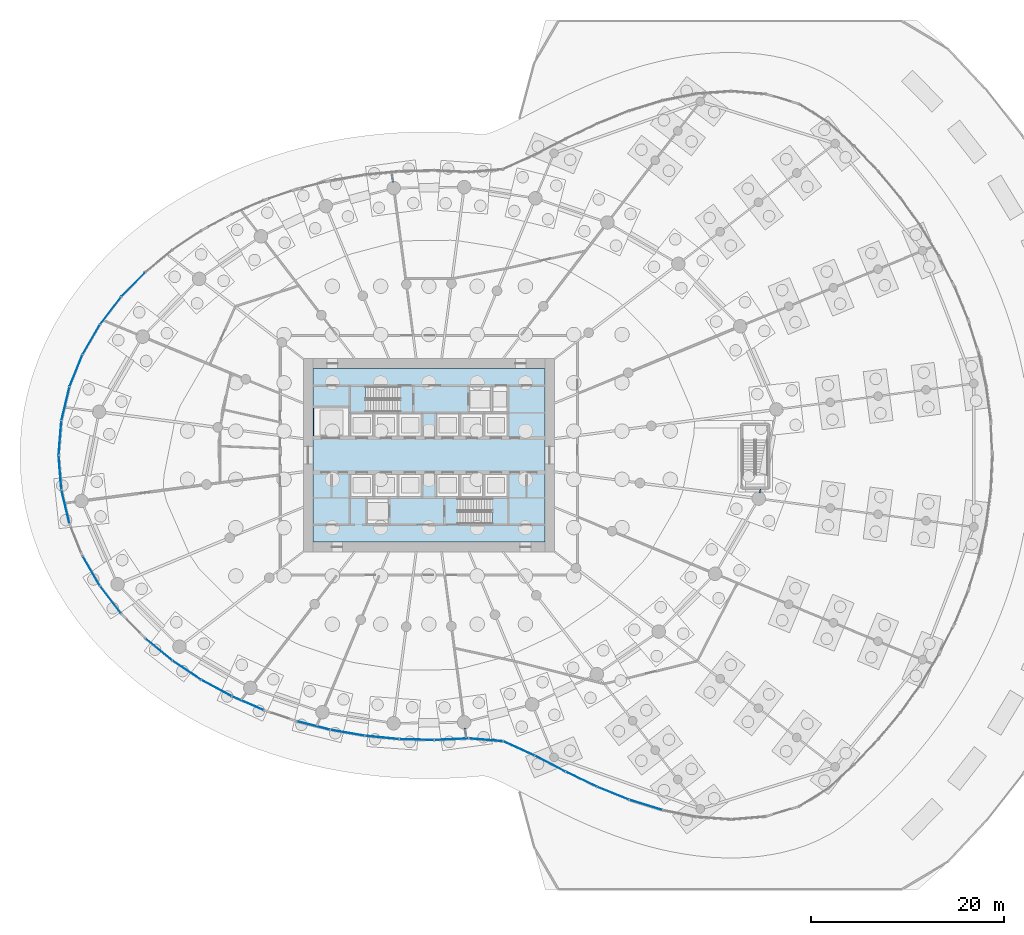
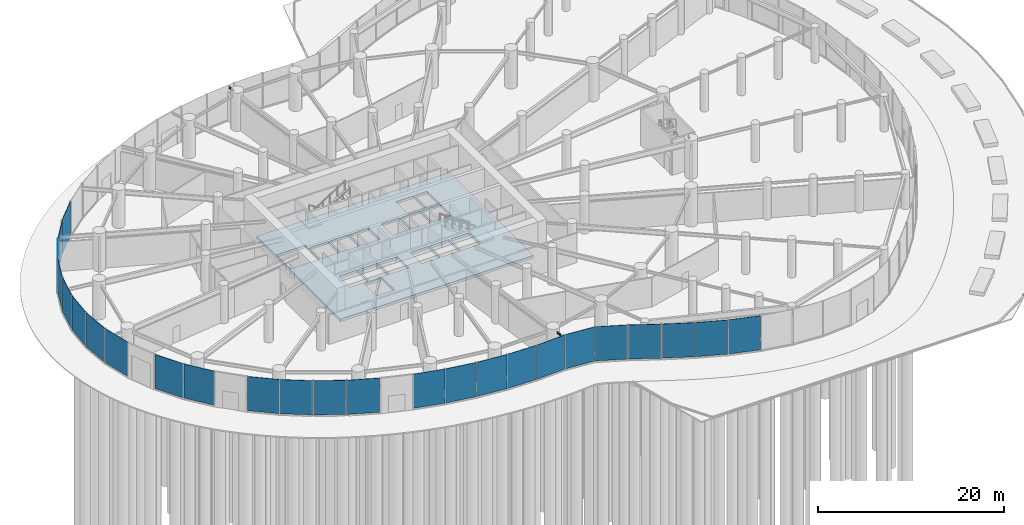
# One storey, part 13 of 28: 25 plates, 3 beams, 3 slabs, 7 elements without a shape of their own.
"""IFC4 building model written with IfcOpenShell, lengths in metres."""

from ifc_helpers import new_model, si_unit, direction, frame, origin, origin_2d, place, context, subcontext, project, spatial, line, indexed_curve, rectangle, i_section, outline, extrude, source, transform, mapped, material, layer, layer_set, material_profile, profile_set, type_object, element, aggregate, save


model = new_model("IFC4")

# Units and contexts
model_context = context("Model", 3, precision=1e-05, world=origin(), true_north=direction((0.0, 1.0)))
body_context = subcontext(model_context, "Body", "Model", "MODEL_VIEW")
ifc_project = project(units=[si_unit("LENGTHUNIT", "METRE"), si_unit("AREAUNIT", "SQUARE_METRE"), si_unit("VOLUMEUNIT", "CUBIC_METRE"), si_unit("PLANEANGLEUNIT", "RADIAN"), si_unit("MASSUNIT", "GRAM", prefix="KILO")], contexts=[model_context])

# Site, building, storey
site_placement = place(None, origin())
site = spatial("IfcSite", under=ifc_project, at=site_placement, CompositionType="ELEMENT")
building_placement = place(site_placement, origin())
building = spatial("IfcBuilding", under=site, at=building_placement, Name="Spindrift Exchange Tower", CompositionType="ELEMENT")
storey_placement = place(building_placement, origin())
storey = spatial("IfcBuildingStorey", under=building, at=storey_placement, Name="L00", CompositionType="ELEMENT", Elevation=0.0)

# Beams
ifc_material_1 = material(Name="Steel Grade 300", Category="steel")
ifc_material_profile_1 = material_profile(ifc_material_1, i_section(OverallWidth=0.14599609375, OverallDepth=0.251953125, WebThickness=0.006103515625, FlangeThickness=0.008544921875, FilletRadius=0.011962890625, at=origin_2d()), Name="250UB31.4")
ifc_profile_set_1 = profile_set([ifc_material_profile_1], Name="Steel Grade 300")
beam_type_1 = type_object("IfcBeamType", Name="Cantilever Beam 250UB31.4 Steel Grade 300", PredefinedType="BEAM", material=ifc_profile_set_1)
shared_shape_1 = source(origin(), body_context, "Body", "SweptSolid", [
    extrude(i_section(OverallWidth=0.14599609375, OverallDepth=0.251953125, WebThickness=0.006103515625, FlangeThickness=0.008544921875, FilletRadius=0.011962890625, at=origin_2d()), origin(), (0.0, 0.0, 1.0), 0.892333984375),
])
for number, where, z_axis, x_axis, name in (
    (1, (48.28271484375, 76.236328125, 4.52392578125), (-0.130765879186, 0.99141327651, 0.0), (-0.99141327651, -0.130765879186, 0.0), "L00 cantilever beam R07T"),
    (2, (55.71728515625, 19.763671875, 4.52392578125), (0.130765879186, -0.99141327651, 0.0), (0.99141327651, 0.130765879186, 0.0), "L00 cantilever beam R19T"),
):
    element("IfcBeam", number, at=place(storey_placement, frame(where, z_axis=z_axis, x_axis=x_axis)), inside=storey, type_object=beam_type_1, Name=name, PredefinedType="BEAM", context=body_context, shape_type="MappedRepresentation", body=[
        mapped(shared_shape_1, transform((0.0, 0.0, 0.0), scale=1.0)),
    ])
ifc_material_profile_2 = material_profile(ifc_material_1, i_section(OverallWidth=0.14599609375, OverallDepth=0.251953125, WebThickness=0.006103515625, FlangeThickness=0.008544921875, FilletRadius=0.011962890625, at=origin_2d()), Name="250UB31.4")
ifc_profile_set_2 = profile_set([ifc_material_profile_2], Name="Steel Grade 300")
beam_type_2 = type_object("IfcBeamType", Name="Edge Beam 250UB31.4 Steel Grade 300", PredefinedType="SPANDREL", material=ifc_profile_set_2)
shared_shape_2 = source(origin(), body_context, "Body", "SweptSolid", [
    extrude(i_section(OverallWidth=0.14599609375, OverallDepth=0.251953125, WebThickness=0.006103515625, FlangeThickness=0.008544921875, FilletRadius=0.011962890625, at=origin_2d()), origin(), (0.0, 0.0, 1.0), 0.4169921875),
])
beam_placement = place(storey_placement, frame((86.27392578125, 44.071533203125, 4.52392578125), z_axis=(0.194426549489, 0.9809170795, 0.0), x_axis=(-0.9809170795, 0.194426549489, 0.0)))
element("IfcBeam", 3, at=beam_placement, inside=storey, type_object=beam_type_2, Name="L00 edge beam E24a", PredefinedType="SPANDREL", context=body_context, shape_type="MappedRepresentation", body=[
    mapped(shared_shape_2, transform((0.0, 0.0, 0.0), scale=1.0)),
])

# Slab
ifc_material_2 = material(Name="Concrete 50 MPa", Category="concrete")
ifc_layer_1 = layer(ifc_material_2, 0.35009765625)
ifc_layer_set_1 = layer_set([ifc_layer_1], Name="SL-CORE-FLOOR-350")
slab_type_1 = type_object("IfcSlabType", Name="SL-CORE-FLOOR-350", PredefinedType="FLOOR", material=ifc_layer_set_1)
slab_1_placement = place(storey_placement, frame((0.0, 0.0, -0.35009765625)))
element("IfcSlab", 4, at=slab_1_placement, inside=storey, type_object=slab_type_1, Name="L00 Core floor slab", PredefinedType="FLOOR", context=body_context, shape_type="SweptSolid", body=[
    extrude(outline(indexed_curve([(40.0, 39.0), (40.0, 57.0), (64.0, 57.0), (64.0, 39.0)], segments=[line(1, 2, 3, 4, 1)], self_intersect=False), holes=[indexed_curve([(47.800048828125, 43.5), (45.60009765625, 43.5), (45.60009765625, 40.89990234375), (47.800048828125, 40.89990234375)], segments=[line(1, 2, 3, 4, 1)], self_intersect=False), indexed_curve([(46.199951171875, 46.10009765625), (43.89990234375, 46.10009765625), (43.89990234375, 43.699951171875), (46.199951171875, 43.699951171875)], segments=[line(1, 2, 3, 4, 1)], self_intersect=False), indexed_curve([(48.699951171875, 46.10009765625), (46.39990234375, 46.10009765625), (46.39990234375, 43.699951171875), (48.699951171875, 43.699951171875)], segments=[line(1, 2, 3, 4, 1)], self_intersect=False), indexed_curve([(51.199951171875, 46.10009765625), (48.89990234375, 46.10009765625), (48.89990234375, 43.699951171875), (51.199951171875, 43.699951171875)], segments=[line(1, 2, 3, 4, 1)], self_intersect=False), indexed_curve([(46.199951171875, 52.300048828125), (43.89990234375, 52.300048828125), (43.89990234375, 49.89990234375), (46.199951171875, 49.89990234375)], segments=[line(1, 2, 3, 4, 1)], self_intersect=False), indexed_curve([(48.699951171875, 52.300048828125), (46.39990234375, 52.300048828125), (46.39990234375, 49.89990234375), (48.699951171875, 49.89990234375)], segments=[line(1, 2, 3, 4, 1)], self_intersect=False), indexed_curve([(51.199951171875, 52.300048828125), (48.89990234375, 52.300048828125), (48.89990234375, 49.89990234375), (51.199951171875, 49.89990234375)], segments=[line(1, 2, 3, 4, 1)], self_intersect=False), indexed_curve([(43.699951171875, 52.89990234375), (40.10009765625, 52.89990234375), (40.10009765625, 49.89990234375), (43.699951171875, 49.89990234375)], segments=[line(1, 2, 3, 4, 1)], self_intersect=False), indexed_curve([(55.10009765625, 46.10009765625), (52.800048828125, 46.10009765625), (52.800048828125, 43.699951171875), (55.10009765625, 43.699951171875)], segments=[line(1, 2, 3, 4, 1)], self_intersect=False), indexed_curve([(57.60009765625, 46.10009765625), (55.300048828125, 46.10009765625), (55.300048828125, 43.699951171875), (57.60009765625, 43.699951171875)], segments=[line(1, 2, 3, 4, 1)], self_intersect=False), indexed_curve([(60.10009765625, 46.10009765625), (57.800048828125, 46.10009765625), (57.800048828125, 43.699951171875), (60.10009765625, 43.699951171875)], segments=[line(1, 2, 3, 4, 1)], self_intersect=False), indexed_curve([(55.10009765625, 52.300048828125), (52.800048828125, 52.300048828125), (52.800048828125, 49.89990234375), (55.10009765625, 49.89990234375)], segments=[line(1, 2, 3, 4, 1)], self_intersect=False), indexed_curve([(57.60009765625, 52.300048828125), (55.300048828125, 52.300048828125), (55.300048828125, 49.89990234375), (57.60009765625, 49.89990234375)], segments=[line(1, 2, 3, 4, 1)], self_intersect=False), indexed_curve([(60.10009765625, 52.300048828125), (57.800048828125, 52.300048828125), (57.800048828125, 49.89990234375), (60.10009765625, 49.89990234375)], segments=[line(1, 2, 3, 4, 1)], self_intersect=False), indexed_curve([(58.39990234375, 55.10009765625), (56.199951171875, 55.10009765625), (56.199951171875, 52.5), (58.39990234375, 52.5)], segments=[line(1, 2, 3, 4, 1)], self_intersect=False), indexed_curve([(60.10009765625, 55.10009765625), (58.60009765625, 55.10009765625), (58.60009765625, 52.5), (60.10009765625, 52.5)], segments=[line(1, 2, 3, 4, 1)], self_intersect=False)]), origin(), (0.0, 0.0, 1.0), 0.35009765625),
])

# Stair, slab
stair_type = type_object("IfcStairType", Name="ST-1250-R179", PredefinedType="HALF_TURN_STAIR", material=ifc_material_2)
stair_1_placement = place(storey_placement, origin())
stair_1 = element("IfcStair", 5, at=stair_1_placement, inside=storey, type_object=stair_type, Name="L00 Exit stair ST1", PredefinedType="HALF_TURN_STAIR")
ifc_layer_2 = layer(ifc_material_2, 0.199951171875)
ifc_layer_set_2 = layer_set([ifc_layer_2], Name="SL-LANDING")
slab_type_2 = type_object("IfcSlabType", Name="SL-LANDING", PredefinedType="LANDING", material=ifc_layer_set_2)
slab_2_placement = place(storey_placement, frame((0.0, 0.0, 2.300048828125)))
slab_2 = element("IfcSlab", 6, at=slab_2_placement, type_object=slab_type_2, Name="ST1 landing 1", PredefinedType="LANDING", context=body_context, shape_type="SweptSolid", body=[
    extrude(outline(indexed_curve([(45.489990234375, 52.39990234375), (43.800048828125, 52.39990234375), (43.800048828125, 55.199951171875), (45.489990234375, 55.199951171875)], segments=[line(1, 2, 3, 4, 1)], self_intersect=False)), origin(), (0.0, 0.0, 1.0), 0.199951171875),
])
aggregate(stair_1, [slab_2])

stair_2_placement = place(storey_placement, origin())
stair_2 = element("IfcStair", 7, at=stair_2_placement, inside=storey, type_object=stair_type, Name="L00 Exit stair ST2", PredefinedType="HALF_TURN_STAIR")
slab_3_placement = place(storey_placement, frame((0.0, 0.0, 2.300048828125)))
slab_3 = element("IfcSlab", 8, at=slab_3_placement, type_object=slab_type_2, Name="ST2 landing 1", PredefinedType="LANDING", context=body_context, shape_type="SweptSolid", body=[
    extrude(outline(indexed_curve([(58.510009765625, 43.60009765625), (60.199951171875, 43.60009765625), (60.199951171875, 40.800048828125), (58.510009765625, 40.800048828125)], segments=[line(1, 2, 3, 4, 1)], self_intersect=False)), origin(), (0.0, 0.0, 1.0), 0.199951171875),
])
aggregate(stair_2, [slab_3])

# Curtain wall, plate
ifc_material_3 = material(Name="Fritted laminated glass with bronze frame", Category="glass")
ifc_layer_3 = layer(ifc_material_3, 0.219970703125)
ifc_layer_set_3 = layer_set([ifc_layer_3], Name="PODIUM BRONZE GLAZED WALL")
curtain_wall_type = type_object("IfcCurtainWallType", Name="PODIUM BRONZE GLAZED WALL", PredefinedType="NOTDEFINED", material=ifc_layer_set_3)
curtain_wall_1_placement = place(storey_placement, origin())
curtain_wall_1 = element("IfcCurtainWall", 9, at=curtain_wall_1_placement, inside=storey, type_object=curtain_wall_type, Name="L00 Podium Bronze Glazed Wall run 8", PredefinedType="NOTDEFINED")
ifc_material_4 = material(Name="Bronze tinted laminated glass, clear vision", Category="glass")
ifc_layer_4 = layer(ifc_material_4, 0.0400390625)
ifc_layer_set_4 = layer_set([ifc_layer_4], Name="PODIUM BRONZE GLAZED WALL PANEL CLEAR 1560")
plate_type_1 = type_object("IfcPlateType", Name="PODIUM BRONZE GLAZED WALL PANEL CLEAR 1560", PredefinedType="CURTAIN_PANEL", material=ifc_layer_set_4)
shared_shape_3 = source(origin(), body_context, "Body", "SweptSolid", [
    extrude(rectangle(XDim=3.512451171875, YDim=0.0400390625, at=origin_2d()), origin(), (0.0, 0.0, 1.0), 4.489990234375),
])
plate_1_placement = place(storey_placement, frame((33.24169921875, 22.311767578125, 0.16015625), z_axis=(0.0, 0.0, 1.0), x_axis=(0.917914669625, -0.396777846265, 0.0)))
plate_1 = element("IfcPlate", 10, at=plate_1_placement, type_object=plate_type_1, Name="L00 panel CW-P.48", PredefinedType="CURTAIN_PANEL", context=body_context, shape_type="MappedRepresentation", body=[
    mapped(shared_shape_3, transform((0.0, 0.0, 0.0), scale=1.0)),
])

# Curtain wall, plates
curtain_wall_2_placement = place(storey_placement, origin())
curtain_wall_2 = element("IfcCurtainWall", 11, at=curtain_wall_2_placement, inside=storey, type_object=curtain_wall_type, Name="L00 Podium Bronze Glazed Wall run 9", PredefinedType="NOTDEFINED")
shared_shape_4 = source(origin(), body_context, "Body", "SweptSolid", [
    extrude(rectangle(XDim=3.5126953125, YDim=0.0400390625, at=origin_2d()), origin(), (0.0, 0.0, 1.0), 4.489990234375),
])
plate_2_placement = place(storey_placement, frame((40.05517578125, 20.00390625, 0.16015625), z_axis=(0.0, 0.0, 1.0), x_axis=(0.969561695316, -0.244847133893, 0.0)))
plate_2 = element("IfcPlate", 12, at=plate_2_placement, type_object=plate_type_1, Name="L00 panel CW-P.50", PredefinedType="CURTAIN_PANEL", context=body_context, shape_type="MappedRepresentation", body=[
    mapped(shared_shape_4, transform((0.0, 0.0, 0.0), scale=1.0)),
])
plate_3_placement = place(storey_placement, frame((54.337890625, 18.587646484375, 0.16015625), z_axis=(0.0, 0.0, 1.0), x_axis=(0.998896606466, 0.046963492107, 0.0)))
plate_3 = element("IfcPlate", 13, at=plate_3_placement, type_object=plate_type_1, Name="L00 panel CW-P.54", PredefinedType="CURTAIN_PANEL", context=body_context, shape_type="MappedRepresentation", body=[
    mapped(shared_shape_4, transform((0.0, 0.0, 0.0), scale=1.0)),
])

# Curtain wall, plate
curtain_wall_3_placement = place(storey_placement, origin())
curtain_wall_3 = element("IfcCurtainWall", 14, at=curtain_wall_3_placement, inside=storey, type_object=curtain_wall_type, Name="L00 Podium Bronze Glazed Wall run 6", PredefinedType="NOTDEFINED")
ifc_layer_5 = layer(ifc_material_4, 0.0400390625)
ifc_layer_set_5 = layer_set([ifc_layer_5], Name="PODIUM BRONZE GLAZED WALL PANEL CLEAR 1200")
plate_type_2 = type_object("IfcPlateType", Name="PODIUM BRONZE GLAZED WALL PANEL CLEAR 1200", PredefinedType="CURTAIN_PANEL", material=ifc_layer_set_5)
shared_shape_5 = source(origin(), body_context, "Body", "SweptSolid", [
    extrude(rectangle(XDim=3.51025390625, YDim=0.0400390625, at=origin_2d()), origin(), (0.0, 0.0, 1.0), 4.489990234375),
])
plate_4_placement = place(storey_placement, frame((15.451171875, 56.7578125, 0.16015625), z_axis=(0.0, 0.0, 1.0), x_axis=(-0.375303949278, -0.92690179936, 0.0)))
plate_4 = element("IfcPlate", 15, at=plate_4_placement, type_object=plate_type_2, Name="L00 panel CW-P.36", PredefinedType="CURTAIN_PANEL", context=body_context, shape_type="MappedRepresentation", body=[
    mapped(shared_shape_5, transform((0.0, 0.0, 0.0), scale=1.0)),
])

# Plate
shared_shape_6 = source(origin(), body_context, "Body", "SweptSolid", [
    extrude(rectangle(XDim=3.51220703125, YDim=0.0400390625, at=origin_2d()), origin(), (0.0, 0.0, 1.0), 4.489990234375),
])
plate_5_placement = place(storey_placement, frame((30.00341796875, 23.882080078125, 0.16015625), z_axis=(0.0, 0.0, 1.0), x_axis=(0.879997816247, -0.474977729374, 0.0)))
plate_5 = element("IfcPlate", 16, at=plate_5_placement, type_object=plate_type_2, Name="L00 panel CW-P.47", PredefinedType="CURTAIN_PANEL", context=body_context, shape_type="MappedRepresentation", body=[
    mapped(shared_shape_6, transform((0.0, 0.0, 0.0), scale=1.0)),
])

# Curtain wall, plate
curtain_wall_4_placement = place(storey_placement, origin())
curtain_wall_4 = element("IfcCurtainWall", 17, at=curtain_wall_4_placement, inside=storey, type_object=curtain_wall_type, Name="L00 Podium Bronze Glazed Wall run 10", PredefinedType="NOTDEFINED")
plate_6_placement = place(storey_placement, frame((74.47119140625, 11.782958984375, 0.16015625), z_axis=(0.0, 0.0, 1.0), x_axis=(0.955457276364, -0.29512945133, 0.0)))
plate_6 = element("IfcPlate", 18, at=plate_6_placement, type_object=plate_type_2, Name="L00 panel CW-P.60", PredefinedType="CURTAIN_PANEL", context=body_context, shape_type="MappedRepresentation", body=[
    mapped(shared_shape_6, transform((0.0, 0.0, 0.0), scale=1.0)),
])

# Plate
ifc_layer_6 = layer(ifc_material_4, 0.0400390625)
ifc_layer_set_6 = layer_set([ifc_layer_6], Name="PODIUM BRONZE GLAZED WALL PANEL CLEAR 1920")
plate_type_3 = type_object("IfcPlateType", Name="PODIUM BRONZE GLAZED WALL PANEL CLEAR 1920", PredefinedType="CURTAIN_PANEL", material=ifc_layer_set_6)
shared_shape_7 = source(origin(), body_context, "Body", "SweptSolid", [
    extrude(rectangle(XDim=3.51171875, YDim=0.0400390625, at=origin_2d()), origin(), (0.0, 0.0, 1.0), 4.489990234375),
])
plate_7_placement = place(storey_placement, frame((21.38134765625, 65.68798828125, 0.16015625), z_axis=(0.0, 0.0, 1.0), x_axis=(-0.698461501395, -0.71564763052, 0.0)))
plate_7 = element("IfcPlate", 19, at=plate_7_placement, type_object=plate_type_3, Name="L00 panel CW-P.33", PredefinedType="CURTAIN_PANEL", context=body_context, shape_type="MappedRepresentation", body=[
    mapped(shared_shape_7, transform((0.0, 0.0, 0.0), scale=1.0)),
])

shared_shape_8 = source(origin(), body_context, "Body", "SweptSolid", [
    extrude(rectangle(XDim=3.510986328125, YDim=0.0400390625, at=origin_2d()), origin(), (0.0, 0.0, 1.0), 4.489990234375),
])
plate_8_placement = place(storey_placement, frame((19.027587890625, 62.970703125, 0.16015625), z_axis=(0.0, 0.0, 1.0), x_axis=(-0.608672806792, -0.793421334646, 0.0)))
plate_8 = element("IfcPlate", 20, at=plate_8_placement, type_object=plate_type_1, Name="L00 panel CW-P.34", PredefinedType="CURTAIN_PANEL", context=body_context, shape_type="MappedRepresentation", body=[
    mapped(shared_shape_8, transform((0.0, 0.0, 0.0), scale=1.0)),
])

shared_shape_9 = source(origin(), body_context, "Body", "SweptSolid", [
    extrude(rectangle(XDim=3.5107421875, YDim=0.0400390625, at=origin_2d()), origin(), (0.0, 0.0, 1.0), 4.489990234375),
])
plate_9_placement = place(storey_placement, frame((17.029296875, 59.984130859375, 0.16015625), z_axis=(0.0, 0.0, 1.0), x_axis=(-0.501247978547, -0.865303683109, 0.0)))
plate_9 = element("IfcPlate", 21, at=plate_9_placement, type_object=plate_type_1, Name="L00 panel CW-P.35", PredefinedType="CURTAIN_PANEL", context=body_context, shape_type="MappedRepresentation", body=[
    mapped(shared_shape_9, transform((0.0, 0.0, 0.0), scale=1.0)),
])

aggregate(curtain_wall_3, [plate_7, plate_8, plate_9, plate_4])

# Curtain wall, plates
curtain_wall_5_placement = place(storey_placement, origin())
curtain_wall_5 = element("IfcCurtainWall", 22, at=curtain_wall_5_placement, inside=storey, type_object=curtain_wall_type, Name="L00 Podium Bronze Glazed Wall run 7", PredefinedType="NOTDEFINED")
shared_shape_10 = source(origin(), body_context, "Body", "SweptSolid", [
    extrude(rectangle(XDim=3.510009765625, YDim=0.0400390625, at=origin_2d()), origin(), (0.0, 0.0, 1.0), 4.489990234375),
])
plate_10_placement = place(storey_placement, frame((14.356201171875, 53.338623046875, 0.16015625), z_axis=(0.0, 0.0, 1.0), x_axis=(-0.232895464324, -0.972501775164, 0.0)))
plate_10 = element("IfcPlate", 23, at=plate_10_placement, type_object=plate_type_3, Name="L00 panel CW-P.37", PredefinedType="CURTAIN_PANEL", context=body_context, shape_type="MappedRepresentation", body=[
    mapped(shared_shape_10, transform((0.0, 0.0, 0.0), scale=1.0)),
])
shared_shape_11 = source(origin(), body_context, "Body", "SweptSolid", [
    extrude(rectangle(XDim=3.509765625, YDim=0.0400390625, at=origin_2d()), origin(), (0.0, 0.0, 1.0), 4.489990234375),
])
plate_11_placement = place(storey_placement, frame((13.79345703125, 49.794189453125, 0.16015625), z_axis=(0.0, 0.0, 1.0), x_axis=(-0.07975529103, -0.996814472985, 0.0)))
plate_11 = element("IfcPlate", 24, at=plate_11_placement, type_object=plate_type_2, Name="L00 panel CW-P.38", PredefinedType="CURTAIN_PANEL", context=body_context, shape_type="MappedRepresentation", body=[
    mapped(shared_shape_11, transform((0.0, 0.0, 0.0), scale=1.0)),
])
plate_12_placement = place(storey_placement, frame((13.79345703125, 46.205810546875, 0.16015625), z_axis=(0.0, 0.0, 1.0), x_axis=(0.07975529103, -0.996814472985, 0.0)))
plate_12 = element("IfcPlate", 25, at=plate_12_placement, type_object=plate_type_2, Name="L00 panel CW-P.39", PredefinedType="CURTAIN_PANEL", context=body_context, shape_type="MappedRepresentation", body=[
    mapped(shared_shape_11, transform((0.0, 0.0, 0.0), scale=1.0)),
])
shared_shape_12 = source(origin(), body_context, "Body", "SweptSolid", [
    extrude(rectangle(XDim=3.510009765625, YDim=0.0400390625, at=origin_2d()), origin(), (0.0, 0.0, 1.0), 4.489990234375),
])
plate_13_placement = place(storey_placement, frame((14.356201171875, 42.661376953125, 0.16015625), z_axis=(0.0, 0.0, 1.0), x_axis=(0.232895464324, -0.972501775164, 0.0)))
plate_13 = element("IfcPlate", 26, at=plate_13_placement, type_object=plate_type_1, Name="L00 panel CW-P.40", PredefinedType="CURTAIN_PANEL", context=body_context, shape_type="MappedRepresentation", body=[
    mapped(shared_shape_12, transform((0.0, 0.0, 0.0), scale=1.0)),
])
shared_shape_13 = source(origin(), body_context, "Body", "SweptSolid", [
    extrude(rectangle(XDim=3.5107421875, YDim=0.0400390625, at=origin_2d()), origin(), (0.0, 0.0, 1.0), 4.489990234375),
])
plate_14_placement = place(storey_placement, frame((17.029296875, 36.015869140625, 0.16015625), z_axis=(0.0, 0.0, 1.0), x_axis=(0.501247978547, -0.865303683109, 0.0)))
plate_14 = element("IfcPlate", 27, at=plate_14_placement, type_object=plate_type_3, Name="L00 panel CW-P.42", PredefinedType="CURTAIN_PANEL", context=body_context, shape_type="MappedRepresentation", body=[
    mapped(shared_shape_13, transform((0.0, 0.0, 0.0), scale=1.0)),
])
aggregate(curtain_wall_5, [plate_10, plate_11, plate_12, plate_13, plate_14])

# Plate
shared_shape_14 = source(origin(), body_context, "Body", "SweptSolid", [
    extrude(rectangle(XDim=3.510986328125, YDim=0.0400390625, at=origin_2d()), origin(), (0.0, 0.0, 1.0), 4.489990234375),
])
plate_15_placement = place(storey_placement, frame((19.027587890625, 33.029296875, 0.16015625), z_axis=(0.0, 0.0, 1.0), x_axis=(0.608672806792, -0.793421334646, 0.0)))
plate_15 = element("IfcPlate", 28, at=plate_15_placement, type_object=plate_type_2, Name="L00 panel CW-P.43", PredefinedType="CURTAIN_PANEL", context=body_context, shape_type="MappedRepresentation", body=[
    mapped(shared_shape_14, transform((0.0, 0.0, 0.0), scale=1.0)),
])

shared_shape_15 = source(origin(), body_context, "Body", "SweptSolid", [
    extrude(rectangle(XDim=3.511962890625, YDim=0.0400390625, at=origin_2d()), origin(), (0.0, 0.0, 1.0), 4.489990234375),
])
plate_16_placement = place(storey_placement, frame((24.030029296875, 27.87939453125, 0.16015625), z_axis=(0.0, 0.0, 1.0), x_axis=(0.772398906424, -0.635137724714, 0.0)))
plate_16 = element("IfcPlate", 29, at=plate_16_placement, type_object=plate_type_3, Name="L00 panel CW-P.45", PredefinedType="CURTAIN_PANEL", context=body_context, shape_type="MappedRepresentation", body=[
    mapped(shared_shape_15, transform((0.0, 0.0, 0.0), scale=1.0)),
])

shared_shape_16 = source(origin(), body_context, "Body", "SweptSolid", [
    extrude(rectangle(XDim=3.51220703125, YDim=0.0400390625, at=origin_2d()), origin(), (0.0, 0.0, 1.0), 4.489990234375),
])
plate_17_placement = place(storey_placement, frame((26.919921875, 25.736572265625, 0.16015625), z_axis=(0.0, 0.0, 1.0), x_axis=(0.83206740597, -0.554674527919, 0.0)))
plate_17 = element("IfcPlate", 30, at=plate_17_placement, type_object=plate_type_1, Name="L00 panel CW-P.46", PredefinedType="CURTAIN_PANEL", context=body_context, shape_type="MappedRepresentation", body=[
    mapped(shared_shape_16, transform((0.0, 0.0, 0.0), scale=1.0)),
])

aggregate(curtain_wall_1, [plate_15, plate_16, plate_17, plate_5, plate_1])

shared_shape_17 = source(origin(), body_context, "Body", "SweptSolid", [
    extrude(rectangle(XDim=3.5126953125, YDim=0.0400390625, at=origin_2d()), origin(), (0.0, 0.0, 1.0), 4.489990234375),
])
plate_18_placement = place(storey_placement, frame((43.576416015625, 19.2548828125, 0.16015625), z_axis=(0.0, 0.0, 1.0), x_axis=(0.985283758646, -0.170926636156, 0.0)))
plate_18 = element("IfcPlate", 31, at=plate_18_placement, type_object=plate_type_3, Name="L00 panel CW-P.51", PredefinedType="CURTAIN_PANEL", context=body_context, shape_type="MappedRepresentation", body=[
    mapped(shared_shape_17, transform((0.0, 0.0, 0.0), scale=1.0)),
])

plate_19_placement = place(storey_placement, frame((47.14404296875, 18.7705078125, 0.16015625), z_axis=(0.0, 0.0, 1.0), x_axis=(0.995196694298, -0.097895554847, 0.0)))
plate_19 = element("IfcPlate", 32, at=plate_19_placement, type_object=plate_type_3, Name="L00 panel CW-P.52", PredefinedType="CURTAIN_PANEL", context=body_context, shape_type="MappedRepresentation", body=[
    mapped(shared_shape_17, transform((0.0, 0.0, 0.0), scale=1.0)),
])

plate_20_placement = place(storey_placement, frame((71.080078125, 12.989501953125, 0.16015625), z_axis=(0.0, 0.0, 1.0), x_axis=(0.927147890643, -0.374695594951, 0.0)))
plate_20 = element("IfcPlate", 33, at=plate_20_placement, type_object=plate_type_3, Name="L00 panel CW-P.59", PredefinedType="CURTAIN_PANEL", context=body_context, shape_type="MappedRepresentation", body=[
    mapped(shared_shape_17, transform((0.0, 0.0, 0.0), scale=1.0)),
])

shared_shape_18 = source(origin(), body_context, "Body", "SweptSolid", [
    extrude(rectangle(XDim=3.512939453125, YDim=0.0400390625, at=origin_2d()), origin(), (0.0, 0.0, 1.0), 4.489990234375),
])
plate_21_placement = place(storey_placement, frame((50.73779296875, 18.548583984375, 0.16015625), z_axis=(0.0, 0.0, 1.0), x_axis=(0.999679567166, -0.025313296716, 0.0)))
plate_21 = element("IfcPlate", 34, at=plate_21_placement, type_object=plate_type_1, Name="L00 panel CW-P.53", PredefinedType="CURTAIN_PANEL", context=body_context, shape_type="MappedRepresentation", body=[
    mapped(shared_shape_18, transform((0.0, 0.0, 0.0), scale=1.0)),
])

aggregate(curtain_wall_2, [plate_2, plate_18, plate_19, plate_21, plate_3])

shared_shape_19 = source(origin(), body_context, "Body", "SweptSolid", [
    extrude(rectangle(XDim=3.470703125, YDim=0.0400390625, at=origin_2d()), origin(), (0.0, 0.0, 1.0), 4.489990234375),
])
plate_22_placement = place(storey_placement, frame((57.911376953125, 18.522705078125, 0.16015625), z_axis=(0.0, 0.0, 1.0), x_axis=(0.996458454767, -0.084086550195, 0.0)))
plate_22 = element("IfcPlate", 35, at=plate_22_placement, type_object=plate_type_1, Name="L00 panel CW-P.55", PredefinedType="CURTAIN_PANEL", context=body_context, shape_type="MappedRepresentation", body=[
    mapped(shared_shape_19, transform((0.0, 0.0, 0.0), scale=1.0)),
])

shared_shape_20 = source(origin(), body_context, "Body", "SweptSolid", [
    extrude(rectangle(XDim=3.51025390625, YDim=0.0400390625, at=origin_2d()), origin(), (0.0, 0.0, 1.0), 4.489990234375),
])
plate_23_placement = place(storey_placement, frame((61.32470703125, 17.62890625, 0.16015625), z_axis=(0.0, 0.0, 1.0), x_axis=(0.910635347362, -0.41321091967, 0.0)))
plate_23 = element("IfcPlate", 36, at=plate_23_placement, type_object=plate_type_3, Name="L00 panel CW-P.56", PredefinedType="CURTAIN_PANEL", context=body_context, shape_type="MappedRepresentation", body=[
    mapped(shared_shape_20, transform((0.0, 0.0, 0.0), scale=1.0)),
])

shared_shape_21 = source(origin(), body_context, "Body", "SweptSolid", [
    extrude(rectangle(XDim=3.513671875, YDim=0.0400390625, at=origin_2d()), origin(), (0.0, 0.0, 1.0), 4.489990234375),
])
plate_24_placement = place(storey_placement, frame((64.563232421875, 16.055419921875, 0.16015625), z_axis=(0.0, 0.0, 1.0), x_axis=(0.887599226457, -0.460616557663, 0.0)))
plate_24 = element("IfcPlate", 37, at=plate_24_placement, type_object=plate_type_3, Name="L00 panel CW-P.57", PredefinedType="CURTAIN_PANEL", context=body_context, shape_type="MappedRepresentation", body=[
    mapped(shared_shape_21, transform((0.0, 0.0, 0.0), scale=1.0)),
])

shared_shape_22 = source(origin(), body_context, "Body", "SweptSolid", [
    extrude(rectangle(XDim=3.51318359375, YDim=0.0400390625, at=origin_2d()), origin(), (0.0, 0.0, 1.0), 4.489990234375),
])
plate_25_placement = place(storey_placement, frame((67.7861328125, 14.44482421875, 0.16015625), z_axis=(0.0, 0.0, 1.0), x_axis=(0.901295644396, -0.433204526053, 0.0)))
plate_25 = element("IfcPlate", 38, at=plate_25_placement, type_object=plate_type_3, Name="L00 panel CW-P.58", PredefinedType="CURTAIN_PANEL", context=body_context, shape_type="MappedRepresentation", body=[
    mapped(shared_shape_22, transform((0.0, 0.0, 0.0), scale=1.0)),
])

aggregate(curtain_wall_4, [plate_22, plate_23, plate_24, plate_25, plate_20, plate_6])

save(model, "model.ifc")
